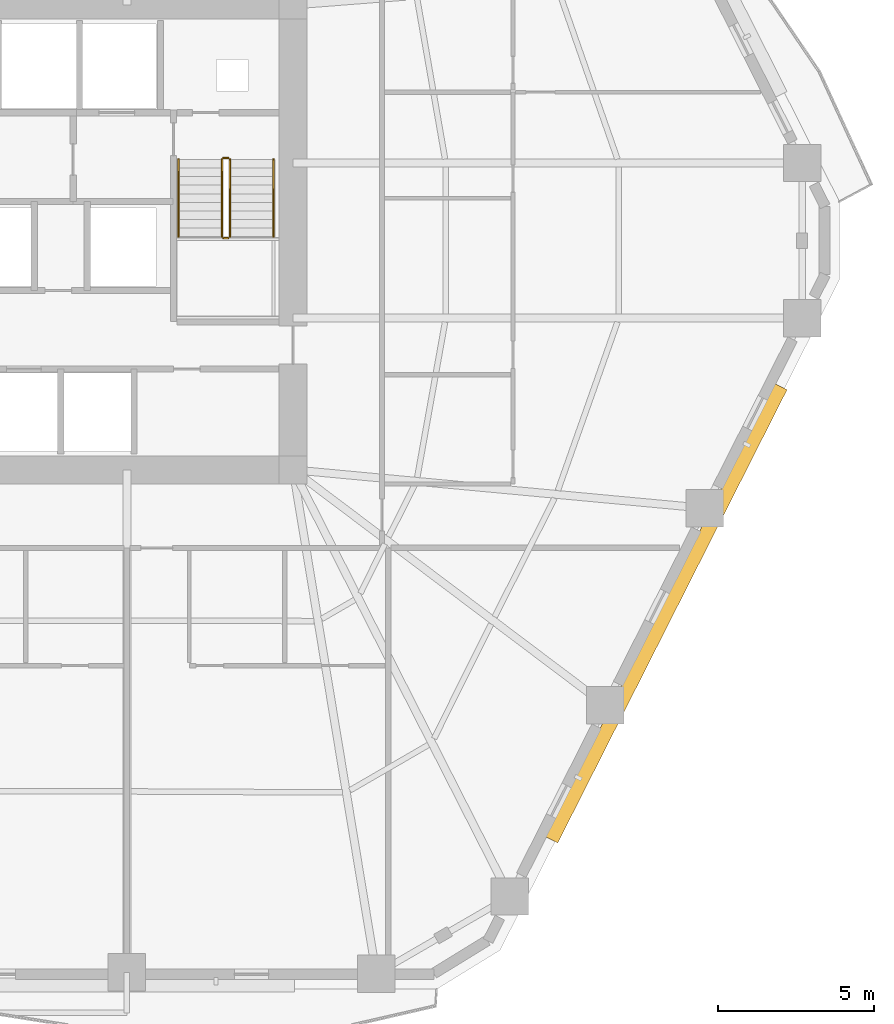
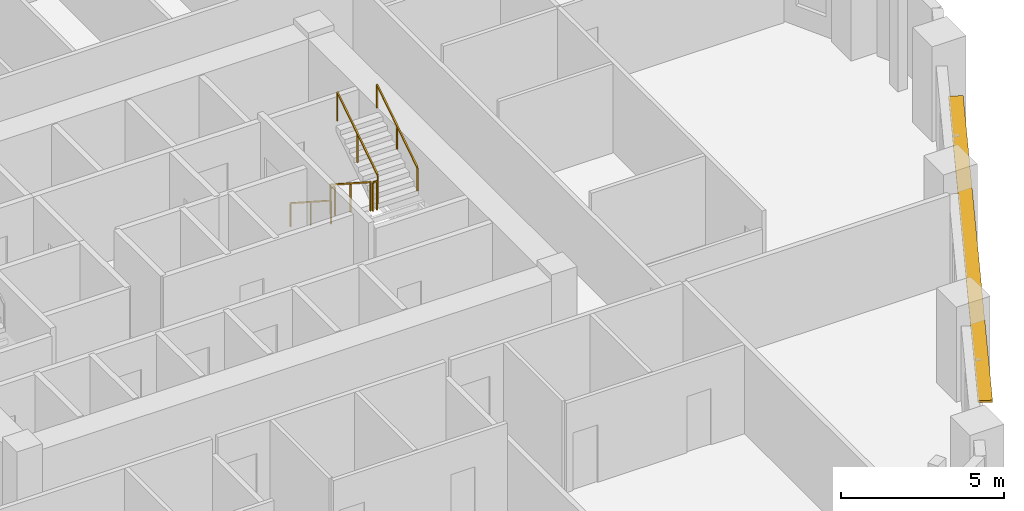
# One storey, part 12 of 13: 6 railings, 1 shading device.
"""IFC4 building model written with IfcOpenShell, lengths in metres."""

from ifc_helpers import new_model, si_unit, direction, frame, origin, origin_2d, place, context, subcontext, project, spatial, rectangle, extrude, material, layer, layer_set, type_object, element, save


model = new_model("IFC4")

# Units and contexts
model_context = context("Model", 3, precision=1e-05, world=origin(), true_north=direction((0.0, 1.0)))
body_context = subcontext(model_context, "Body", "Model", "MODEL_VIEW")
ifc_project = project(units=[si_unit("LENGTHUNIT", "METRE"), si_unit("AREAUNIT", "SQUARE_METRE"), si_unit("VOLUMEUNIT", "CUBIC_METRE"), si_unit("PLANEANGLEUNIT", "RADIAN"), si_unit("MASSUNIT", "GRAM", prefix="KILO")], contexts=[model_context])

# Site, building, storey
site_placement = place(None, origin())
site = spatial("IfcSite", under=ifc_project, at=site_placement, CompositionType="ELEMENT")
building_placement = place(site_placement, origin())
building = spatial("IfcBuilding", under=site, at=building_placement, Name="Cinnabar Lancet Tower", CompositionType="ELEMENT")
storey_placement = place(building_placement, frame((0.0, 0.0, 63.949951171875)))
storey = spatial("IfcBuildingStorey", under=building, at=storey_placement, Name="L16", CompositionType="ELEMENT", Elevation=63.949951171875)

# Shading device
ifc_material_1 = material(Name="Pale limestone architectural aluminium sunshade", Category="masonry")
ifc_layer = layer(ifc_material_1, 0.080078125)
ifc_layer_set = layer_set([ifc_layer], Name="Pale limestone architectural aluminium sunshade")
shading_device_type = type_object("IfcShadingDeviceType", Name="ENV-SHD-LVR-450", PredefinedType="JALOUSIE", material=ifc_layer_set)
shading_device_placement = place(storey_placement, frame((53.81005859375, 13.85595703125, 2.639892578125), z_axis=(0.0, 0.0, 1.0), x_axis=(0.451500573218, 0.892270829056, 0.0)))
element("IfcShadingDevice", 1, at=shading_device_placement, inside=storey, type_object=shading_device_type, Name="L16 Face 2 Horizontal Sunshade Canopy", PredefinedType="JALOUSIE", context=body_context, shape_type="SweptSolid", body=[
    extrude(rectangle(XDim=16.279052734375, YDim=0.449951171875, at=origin_2d()), origin(), (0.0, 0.0, 1.0), 0.080078125),
])

# Railings
ifc_material_2 = material(Name="Painted galvanized steel balustrade", Category="steel")
railing_type_1 = type_object("IfcRailingType", Name="GUARD-STAIR", PredefinedType="GUARDRAIL", material=ifc_material_2)
railing_1_placement = place(storey_placement, frame((39.574951171875, 28.39990234375, 0.177490234375)))
element("IfcRailing", 2, at=railing_1_placement, inside=storey, type_object=railing_type_1, Name="L16 ST-2 stair guard 1", PredefinedType="GUARDRAIL", context=body_context, shape_type="SweptSolid", body=[
    extrude(rectangle(XDim=0.048095703125, YDim=0.048095703125, at=origin_2d()), frame((0.0, 0.0, 1.076171875), z_axis=(0.0, -0.84014559416, 0.542360932049), x_axis=(1.0, 0.0, 0.0)), (0.0, 0.0, 1.0), 2.94580078125),
    extrude(rectangle(XDim=0.0419921875, YDim=0.0419921875, at=origin_2d()), origin(), (0.0, 0.0, 1.0), 1.052001953125),
    extrude(rectangle(XDim=0.0419921875, YDim=0.0419921875, at=origin_2d()), frame((0.0, -1.2373046875, 0.798828125)), (0.0, 0.0, 1.0), 1.052001953125),
    extrude(rectangle(XDim=0.0419921875, YDim=0.0419921875, at=origin_2d()), frame((0.0, -2.474853515625, 1.59765625)), (0.0, 0.0, 1.0), 1.052001953125),
])
railing_2_placement = place(storey_placement, frame((39.625, 25.875, 1.775146484375)))
element("IfcRailing", 3, at=railing_2_placement, inside=storey, type_object=railing_type_1, Name="L16 ST-2 stair guard 2", PredefinedType="GUARDRAIL", context=body_context, shape_type="SweptSolid", body=[
    extrude(rectangle(XDim=0.048095703125, YDim=0.048095703125, at=origin_2d()), frame((0.0, 0.0, 1.076171875), z_axis=(1.0, 0.0, 0.0), x_axis=(0.0, 1.0, 0.0)), (0.0, 0.0, 1.0), 0.14990234375),
    extrude(rectangle(XDim=0.0419921875, YDim=0.0419921875, at=origin_2d()), origin(), (0.0, 0.0, 1.0), 1.052001953125),
    extrude(rectangle(XDim=0.0419921875, YDim=0.0419921875, at=origin_2d()), frame((0.14990234375, 0.0, 0.0)), (0.0, 0.0, 1.0), 1.052001953125),
])
railing_3_placement = place(storey_placement, frame((39.824951171875, 25.925048828125, 1.95263671875)))
element("IfcRailing", 4, at=railing_3_placement, inside=storey, type_object=railing_type_1, Name="L16 ST-2 stair guard 3", PredefinedType="GUARDRAIL", context=body_context, shape_type="SweptSolid", body=[
    extrude(rectangle(XDim=0.048095703125, YDim=0.048095703125, at=origin_2d()), frame((0.0, 0.0, 1.076171875), z_axis=(0.0, 0.840183358697, 0.542302428327), x_axis=(-1.0, 0.0, 0.0)), (0.0, 0.0, 1.0), 2.945556640625),
    extrude(rectangle(XDim=0.0419921875, YDim=0.0419921875, at=origin_2d()), origin(), (0.0, 0.0, 1.0), 1.052001953125),
    extrude(rectangle(XDim=0.0419921875, YDim=0.0419921875, at=origin_2d()), frame((0.0, 1.2373046875, 0.798828125)), (0.0, 0.0, 1.0), 1.052001953125),
    extrude(rectangle(XDim=0.0419921875, YDim=0.0419921875, at=origin_2d()), frame((0.0, 2.474853515625, 1.597412109375)), (0.0, 0.0, 1.0), 1.052001953125),
])
railing_4_placement = place(storey_placement, frame((39.625, 28.449951171875, 0.0)))
element("IfcRailing", 5, at=railing_4_placement, inside=storey, type_object=railing_type_1, Name="L16 ST-2 stair guard 4", PredefinedType="GUARDRAIL", context=body_context, shape_type="SweptSolid", body=[
    extrude(rectangle(XDim=0.048095703125, YDim=0.048095703125, at=origin_2d()), frame((0.0, 0.0, 1.076171875), z_axis=(1.0, 0.0, 0.0), x_axis=(0.0, 1.0, 0.0)), (0.0, 0.0, 1.0), 0.14990234375),
    extrude(rectangle(XDim=0.0419921875, YDim=0.0419921875, at=origin_2d()), origin(), (0.0, 0.0, 1.0), 1.052001953125),
    extrude(rectangle(XDim=0.0419921875, YDim=0.0419921875, at=origin_2d()), frame((0.14990234375, 0.0, 0.0)), (0.0, 0.0, 1.0), 1.052001953125),
])
ifc_material_3 = material(Name="Brushed stainless steel handrail", Category="steel")
railing_type_2 = type_object("IfcRailingType", Name="HANDRAIL-STAIR", PredefinedType="HANDRAIL", material=ifc_material_3)
railing_5_placement = place(storey_placement, frame((38.175048828125, 28.39990234375, 0.177490234375)))
element("IfcRailing", 6, at=railing_5_placement, inside=storey, type_object=railing_type_2, Name="L16 ST-2 stair handrail 1", PredefinedType="HANDRAIL", context=body_context, shape_type="SweptSolid", body=[
    extrude(rectangle(XDim=0.048095703125, YDim=0.048095703125, at=origin_2d()), frame((0.0, 0.0, 0.8759765625), z_axis=(0.0, -0.84014559416, 0.542360932049), x_axis=(1.0, 0.0, 0.0)), (0.0, 0.0, 1.0), 2.94580078125),
    extrude(rectangle(XDim=0.0419921875, YDim=0.0419921875, at=origin_2d()), origin(), (0.0, 0.0, 1.0), 0.851806640625),
    extrude(rectangle(XDim=0.0419921875, YDim=0.0419921875, at=origin_2d()), frame((0.0, -1.2373046875, 0.798828125)), (0.0, 0.0, 1.0), 0.851806640625),
    extrude(rectangle(XDim=0.0419921875, YDim=0.0419921875, at=origin_2d()), frame((0.0, -2.474853515625, 1.59765625)), (0.0, 0.0, 1.0), 0.851806640625),
])
railing_6_placement = place(storey_placement, frame((41.22509765625, 25.925048828125, 1.95263671875)))
element("IfcRailing", 7, at=railing_6_placement, inside=storey, type_object=railing_type_2, Name="L16 ST-2 stair handrail 2", PredefinedType="HANDRAIL", context=body_context, shape_type="SweptSolid", body=[
    extrude(rectangle(XDim=0.048095703125, YDim=0.048095703125, at=origin_2d()), frame((0.0, 0.0, 0.8759765625), z_axis=(0.0, 0.840183358697, 0.542302428327), x_axis=(-1.0, 0.0, 0.0)), (0.0, 0.0, 1.0), 2.945556640625),
    extrude(rectangle(XDim=0.0419921875, YDim=0.0419921875, at=origin_2d()), origin(), (0.0, 0.0, 1.0), 0.851806640625),
    extrude(rectangle(XDim=0.0419921875, YDim=0.0419921875, at=origin_2d()), frame((0.0, 1.2373046875, 0.798828125)), (0.0, 0.0, 1.0), 0.851806640625),
    extrude(rectangle(XDim=0.0419921875, YDim=0.0419921875, at=origin_2d()), frame((0.0, 2.474853515625, 1.597412109375)), (0.0, 0.0, 1.0), 0.851806640625),
])

save(model, "model.ifc")
